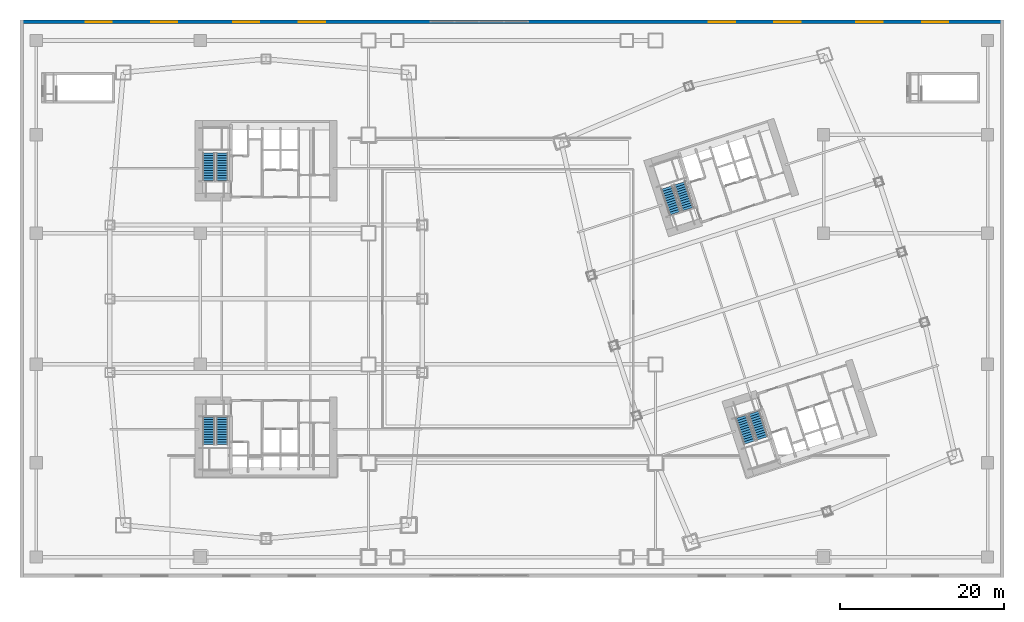
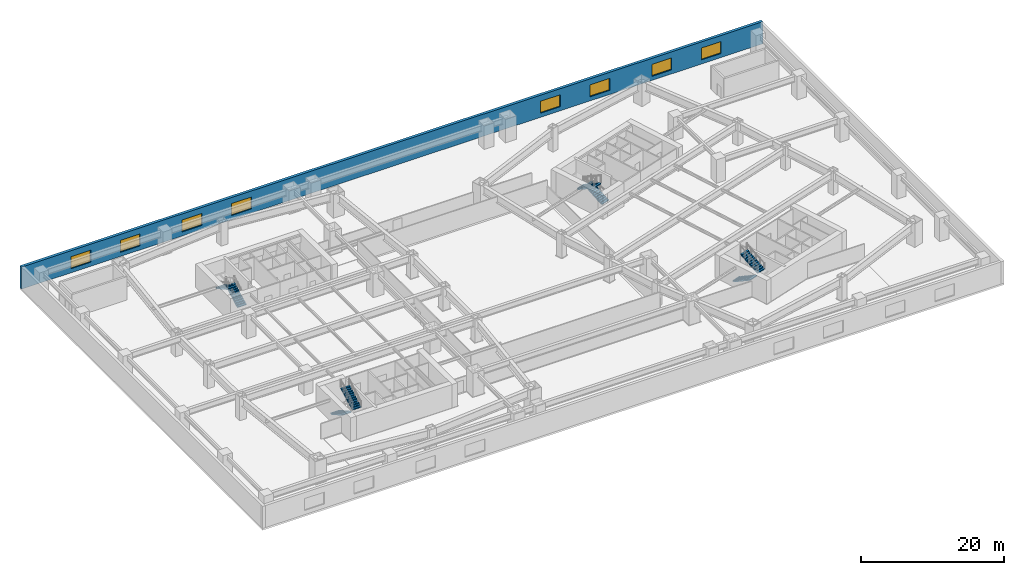
# One storey, part 19 of 25: 8 stair flights, 8 windows, 1 wall, 8 openings, 4 elements without a shape of their own.
"""IFC4 building model written with IfcOpenShell, lengths in metres."""

from ifc_helpers import new_model, si_unit, direction, frame, frame_2d, origin, place, context, subcontext, project, spatial, polyline, rectangle, outline, extrude, material, layer, layer_set, type_object, element, fill, aggregate, save


model = new_model("IFC4")

# Units and contexts
model_context = context("Model", 3, precision=1e-05, world=origin(), true_north=direction((0.0, 1.0)))
body_context = subcontext(model_context, "Body", "Model", "MODEL_VIEW")
ifc_project = project(units=[si_unit("LENGTHUNIT", "METRE"), si_unit("AREAUNIT", "SQUARE_METRE"), si_unit("VOLUMEUNIT", "CUBIC_METRE"), si_unit("PLANEANGLEUNIT", "RADIAN"), si_unit("MASSUNIT", "GRAM", prefix="KILO")], contexts=[model_context])

# Site, building, storey
site_placement = place(None, origin())
site = spatial("IfcSite", under=ifc_project, at=site_placement, CompositionType="ELEMENT")
building_placement = place(site_placement, origin())
building = spatial("IfcBuilding", under=site, at=building_placement, Name="Qiaolan Cultural Towers", CompositionType="ELEMENT")
storey_placement = place(building_placement, frame((0.0, 0.0, 22.0)))
storey = spatial("IfcBuildingStorey", under=building, at=storey_placement, Name="L04", CompositionType="ELEMENT", Elevation=22.0)

# Wall, openings, windows
ifc_material_1 = material(Name="Precast Concrete C50 Bush-Hammered Granite Pier", Category="masonry")
ifc_layer = layer(ifc_material_1, 0.449951171875)
ifc_layer_set = layer_set([ifc_layer], Name="Precast Concrete C50 Bush-Hammered Granite Pier")
wall_type = type_object("IfcWallType", Name="WL-EXT-POD-450", PredefinedType="SOLIDWALL", material=ifc_layer_set)
wall_placement = place(storey_placement, frame((0.0, 67.77490234375, 0.0), z_axis=(0.0, 0.0, 1.0), x_axis=(1.0, 0.0, 0.0)))
wall = element("IfcWall", 1, at=wall_placement, inside=storey, type_object=wall_type, Name="L04 Podium Precast Facade Wall NORTH", PredefinedType="SOLIDWALL", context=body_context, shape_type="SweptSolid", body=[
    extrude(rectangle(XDim=120.0, YDim=0.449951171875, at=frame_2d((60.0, 0.0))), origin(), (0.0, 0.0, 1.0), 3.780029296875),
])
opening_1_placement = place(wall_placement, frame((8.0, 0.0, 0.699951171875)))
opening_1 = element("IfcOpeningElement", 2, at=opening_1_placement, cuts=wall, Name="Opening W-04", PredefinedType="OPENING", context=body_context, shape_type="SweptSolid", body=[
    extrude(rectangle(XDim=3.199951171875, YDim=2.050048828125, at=frame_2d((1.60009765625, 1.02490234375))), frame((0.0, 0.23486328125, 0.0), z_axis=(0.0, -1.0, 0.0), x_axis=(1.0, 0.0, 0.0)), (0.0, 0.0, 1.0), 0.469970703125),
])
opening_2_placement = place(wall_placement, frame((16.0, 0.0, 0.699951171875)))
opening_2 = element("IfcOpeningElement", 3, at=opening_2_placement, cuts=wall, Name="Opening W-04", PredefinedType="OPENING", context=body_context, shape_type="SweptSolid", body=[
    extrude(rectangle(XDim=3.199951171875, YDim=2.050048828125, at=frame_2d((1.60009765625, 1.02490234375))), frame((0.0, 0.23486328125, 0.0), z_axis=(0.0, -1.0, 0.0), x_axis=(1.0, 0.0, 0.0)), (0.0, 0.0, 1.0), 0.469970703125),
])
opening_3_placement = place(wall_placement, frame((26.0, 0.0, 0.699951171875)))
opening_3 = element("IfcOpeningElement", 4, at=opening_3_placement, cuts=wall, Name="Opening W-04", PredefinedType="OPENING", context=body_context, shape_type="SweptSolid", body=[
    extrude(rectangle(XDim=3.199951171875, YDim=2.050048828125, at=frame_2d((1.60009765625, 1.02490234375))), frame((0.0, 0.23486328125, 0.0), z_axis=(0.0, -1.0, 0.0), x_axis=(1.0, 0.0, 0.0)), (0.0, 0.0, 1.0), 0.469970703125),
])
opening_4_placement = place(wall_placement, frame((34.0, 0.0, 0.699951171875)))
opening_4 = element("IfcOpeningElement", 5, at=opening_4_placement, cuts=wall, Name="Opening W-04", PredefinedType="OPENING", context=body_context, shape_type="SweptSolid", body=[
    extrude(rectangle(XDim=3.199951171875, YDim=2.050048828125, at=frame_2d((1.60009765625, 1.02490234375))), frame((0.0, 0.23486328125, 0.0), z_axis=(0.0, -1.0, 0.0), x_axis=(1.0, 0.0, 0.0)), (0.0, 0.0, 1.0), 0.469970703125),
])
opening_5_placement = place(wall_placement, frame((84.0, 0.0, 0.699951171875)))
opening_5 = element("IfcOpeningElement", 6, at=opening_5_placement, cuts=wall, Name="Opening W-04", PredefinedType="OPENING", context=body_context, shape_type="SweptSolid", body=[
    extrude(rectangle(XDim=3.199951171875, YDim=2.050048828125, at=frame_2d((1.60009765625, 1.02490234375))), frame((0.0, 0.23486328125, 0.0), z_axis=(0.0, -1.0, 0.0), x_axis=(1.0, 0.0, 0.0)), (0.0, 0.0, 1.0), 0.469970703125),
])
opening_6_placement = place(wall_placement, frame((92.0, 0.0, 0.699951171875)))
opening_6 = element("IfcOpeningElement", 7, at=opening_6_placement, cuts=wall, Name="Opening W-04", PredefinedType="OPENING", context=body_context, shape_type="SweptSolid", body=[
    extrude(rectangle(XDim=3.199951171875, YDim=2.050048828125, at=frame_2d((1.60009765625, 1.02490234375))), frame((0.0, 0.23486328125, 0.0), z_axis=(0.0, -1.0, 0.0), x_axis=(1.0, 0.0, 0.0)), (0.0, 0.0, 1.0), 0.469970703125),
])
opening_7_placement = place(wall_placement, frame((102.0, 0.0, 0.699951171875)))
opening_7 = element("IfcOpeningElement", 8, at=opening_7_placement, cuts=wall, Name="Opening W-04", PredefinedType="OPENING", context=body_context, shape_type="SweptSolid", body=[
    extrude(rectangle(XDim=3.199951171875, YDim=2.050048828125, at=frame_2d((1.60009765625, 1.02490234375))), frame((0.0, 0.23486328125, 0.0), z_axis=(0.0, -1.0, 0.0), x_axis=(1.0, 0.0, 0.0)), (0.0, 0.0, 1.0), 0.469970703125),
])
opening_8_placement = place(wall_placement, frame((110.0, 0.0, 0.699951171875)))
opening_8 = element("IfcOpeningElement", 9, at=opening_8_placement, cuts=wall, Name="Opening W-04", PredefinedType="OPENING", context=body_context, shape_type="SweptSolid", body=[
    extrude(rectangle(XDim=3.199951171875, YDim=2.050048828125, at=frame_2d((1.60009765625, 1.02490234375))), frame((0.0, 0.23486328125, 0.0), z_axis=(0.0, -1.0, 0.0), x_axis=(1.0, 0.0, 0.0)), (0.0, 0.0, 1.0), 0.469970703125),
])
ifc_material_2 = material(Name="Thermally Broken Aluminium Triple Low-E Glazing", Category="aluminium")
window_type = type_object("IfcWindowType", Name="WN-POD-3200", PartitioningType="SINGLE_PANEL", PredefinedType="WINDOW", material=ifc_material_2)
window_1_placement = place(opening_1_placement, origin())
window_1 = element("IfcWindow", 10, at=window_1_placement, inside=storey, type_object=window_type, Name="L04 Podium Chicago Window NORTH-01", OverallHeight=2.050048828125, OverallWidth=3.199951171875, PartitioningType="TRIPLE_PANEL_VERTICAL", PredefinedType="WINDOW", context=body_context, shape_type="SweptSolid", body=[
    extrude(rectangle(XDim=3.199951171875, YDim=2.050048828125, at=frame_2d((1.60009765625, 1.02490234375))), frame((0.0, 0.030029296875, 0.0), z_axis=(0.0, -1.0, 0.0), x_axis=(1.0, 0.0, 0.0)), (0.0, 0.0, 1.0), 0.06005859375),
])
fill(opening_1, window_1)
window_2_placement = place(opening_2_placement, origin())
window_2 = element("IfcWindow", 11, at=window_2_placement, inside=storey, type_object=window_type, Name="L04 Podium Chicago Window NORTH-02", OverallHeight=2.050048828125, OverallWidth=3.199951171875, PartitioningType="TRIPLE_PANEL_VERTICAL", PredefinedType="WINDOW", context=body_context, shape_type="SweptSolid", body=[
    extrude(rectangle(XDim=3.199951171875, YDim=2.050048828125, at=frame_2d((1.60009765625, 1.02490234375))), frame((0.0, 0.030029296875, 0.0), z_axis=(0.0, -1.0, 0.0), x_axis=(1.0, 0.0, 0.0)), (0.0, 0.0, 1.0), 0.06005859375),
])
fill(opening_2, window_2)
window_3_placement = place(opening_3_placement, origin())
window_3 = element("IfcWindow", 12, at=window_3_placement, inside=storey, type_object=window_type, Name="L04 Podium Chicago Window NORTH-03", OverallHeight=2.050048828125, OverallWidth=3.199951171875, PartitioningType="TRIPLE_PANEL_VERTICAL", PredefinedType="WINDOW", context=body_context, shape_type="SweptSolid", body=[
    extrude(rectangle(XDim=3.199951171875, YDim=2.050048828125, at=frame_2d((1.60009765625, 1.02490234375))), frame((0.0, 0.030029296875, 0.0), z_axis=(0.0, -1.0, 0.0), x_axis=(1.0, 0.0, 0.0)), (0.0, 0.0, 1.0), 0.06005859375),
])
fill(opening_3, window_3)
window_4_placement = place(opening_4_placement, origin())
window_4 = element("IfcWindow", 13, at=window_4_placement, inside=storey, type_object=window_type, Name="L04 Podium Chicago Window NORTH-04", OverallHeight=2.050048828125, OverallWidth=3.199951171875, PartitioningType="TRIPLE_PANEL_VERTICAL", PredefinedType="WINDOW", context=body_context, shape_type="SweptSolid", body=[
    extrude(rectangle(XDim=3.199951171875, YDim=2.050048828125, at=frame_2d((1.60009765625, 1.02490234375))), frame((0.0, 0.030029296875, 0.0), z_axis=(0.0, -1.0, 0.0), x_axis=(1.0, 0.0, 0.0)), (0.0, 0.0, 1.0), 0.06005859375),
])
fill(opening_4, window_4)
window_5_placement = place(opening_5_placement, origin())
window_5 = element("IfcWindow", 14, at=window_5_placement, inside=storey, type_object=window_type, Name="L04 Podium Chicago Window NORTH-05", OverallHeight=2.050048828125, OverallWidth=3.199951171875, PartitioningType="TRIPLE_PANEL_VERTICAL", PredefinedType="WINDOW", context=body_context, shape_type="SweptSolid", body=[
    extrude(rectangle(XDim=3.199951171875, YDim=2.050048828125, at=frame_2d((1.60009765625, 1.02490234375))), frame((0.0, 0.030029296875, 0.0), z_axis=(0.0, -1.0, 0.0), x_axis=(1.0, 0.0, 0.0)), (0.0, 0.0, 1.0), 0.06005859375),
])
fill(opening_5, window_5)
window_6_placement = place(opening_6_placement, origin())
window_6 = element("IfcWindow", 15, at=window_6_placement, inside=storey, type_object=window_type, Name="L04 Podium Chicago Window NORTH-06", OverallHeight=2.050048828125, OverallWidth=3.199951171875, PartitioningType="TRIPLE_PANEL_VERTICAL", PredefinedType="WINDOW", context=body_context, shape_type="SweptSolid", body=[
    extrude(rectangle(XDim=3.199951171875, YDim=2.050048828125, at=frame_2d((1.60009765625, 1.02490234375))), frame((0.0, 0.030029296875, 0.0), z_axis=(0.0, -1.0, 0.0), x_axis=(1.0, 0.0, 0.0)), (0.0, 0.0, 1.0), 0.06005859375),
])
fill(opening_6, window_6)
window_7_placement = place(opening_7_placement, origin())
window_7 = element("IfcWindow", 16, at=window_7_placement, inside=storey, type_object=window_type, Name="L04 Podium Chicago Window NORTH-07", OverallHeight=2.050048828125, OverallWidth=3.199951171875, PartitioningType="TRIPLE_PANEL_VERTICAL", PredefinedType="WINDOW", context=body_context, shape_type="SweptSolid", body=[
    extrude(rectangle(XDim=3.199951171875, YDim=2.050048828125, at=frame_2d((1.60009765625, 1.02490234375))), frame((0.0, 0.030029296875, 0.0), z_axis=(0.0, -1.0, 0.0), x_axis=(1.0, 0.0, 0.0)), (0.0, 0.0, 1.0), 0.06005859375),
])
fill(opening_7, window_7)
window_8_placement = place(opening_8_placement, origin())
window_8 = element("IfcWindow", 17, at=window_8_placement, inside=storey, type_object=window_type, Name="L04 Podium Chicago Window NORTH-08", OverallHeight=2.050048828125, OverallWidth=3.199951171875, PartitioningType="TRIPLE_PANEL_VERTICAL", PredefinedType="WINDOW", context=body_context, shape_type="SweptSolid", body=[
    extrude(rectangle(XDim=3.199951171875, YDim=2.050048828125, at=frame_2d((1.60009765625, 1.02490234375))), frame((0.0, 0.030029296875, 0.0), z_axis=(0.0, -1.0, 0.0), x_axis=(1.0, 0.0, 0.0)), (0.0, 0.0, 1.0), 0.06005859375),
])
fill(opening_8, window_8)

# Stair, stair flights
ifc_material_3 = material(Name="Concrete C45", Category="concrete")
stair_type = type_object("IfcStairType", Name="STR-CORE-1500", PredefinedType="HALF_TURN_STAIR", material=ifc_material_3)
stair_1_placement = place(storey_placement, origin())
stair_1 = element("IfcStair", 18, at=stair_1_placement, inside=storey, type_object=stair_type, Name="L04 Smokeproof Exit Stair ST-W1", PredefinedType="HALF_TURN_STAIR")
ifc_material_4 = material(Name="Concrete C45", Category="concrete")
stair_flight_type = type_object("IfcStairFlightType", Name="STR-CORE-1500-FL", PredefinedType="STRAIGHT", material=ifc_material_4)
stair_flight_1_placement = place(storey_placement, frame((23.02001953125, 19.550048828125, 0.0), z_axis=(0.0, 0.0, 1.0), x_axis=(0.0, -1.0, 0.0)))
stair_flight_1 = element("IfcStairFlight", 19, at=stair_flight_1_placement, type_object=stair_flight_type, Name="ST-W1 flight 1", NumberOfRisers=12, NumberOfTreads=11, PredefinedType="STRAIGHT", RiserHeight=0.166666667, TreadLength=0.3, context=body_context, shape_type="SweptSolid", body=[
    extrude(outline(polyline([(0.0, 0.0), (0.0, 0.166748046875), (0.300048828125, 0.166748046875), (0.300048828125, 0.333251953125), (0.60009765625, 0.333251953125), (0.60009765625, 0.5), (0.89990234375, 0.5), (0.89990234375, 0.666748046875), (1.199951171875, 0.666748046875), (1.199951171875, 0.833251953125), (1.5, 0.833251953125), (1.5, 1.0), (1.800048828125, 1.0), (1.800048828125, 1.166748046875), (2.10009765625, 1.166748046875), (2.10009765625, 1.333251953125), (2.39990234375, 1.333251953125), (2.39990234375, 1.5), (2.699951171875, 1.5), (2.699951171875, 1.666748046875), (3.0, 1.666748046875), (3.0, 1.833251953125), (3.300048828125, 1.833251953125), (3.300048828125, 2.0), (3.300048828125, 1.661865234375), (0.30859375, 0.0), (0.0, 0.0)])), frame((0.0, 0.719970703125, 0.0), z_axis=(0.0, -1.0, 0.0), x_axis=(1.0, 0.0, 0.0)), (0.0, 0.0, 1.0), 1.43994140625),
])
stair_flight_2_placement = place(storey_placement, frame((24.659912109375, 16.25, 2.0), z_axis=(0.0, 0.0, 1.0), x_axis=(0.0, 1.0, 0.0)))
stair_flight_2 = element("IfcStairFlight", 20, at=stair_flight_2_placement, type_object=stair_flight_type, Name="ST-W1 flight 2", NumberOfRisers=12, NumberOfTreads=11, PredefinedType="STRAIGHT", RiserHeight=0.166666667, TreadLength=0.3, context=body_context, shape_type="SweptSolid", body=[
    extrude(outline(polyline([(0.0, 0.0), (0.0, 0.166748046875), (0.300048828125, 0.166748046875), (0.300048828125, 0.333251953125), (0.60009765625, 0.333251953125), (0.60009765625, 0.5), (0.89990234375, 0.5), (0.89990234375, 0.666748046875), (1.199951171875, 0.666748046875), (1.199951171875, 0.833251953125), (1.5, 0.833251953125), (1.5, 1.0), (1.800048828125, 1.0), (1.800048828125, 1.166748046875), (2.10009765625, 1.166748046875), (2.10009765625, 1.333251953125), (2.39990234375, 1.333251953125), (2.39990234375, 1.5), (2.699951171875, 1.5), (2.699951171875, 1.666748046875), (3.0, 1.666748046875), (3.0, 1.833251953125), (3.300048828125, 1.833251953125), (3.300048828125, 2.0), (3.300048828125, 1.661865234375), (0.30859375, 0.0), (0.0, 0.0)])), frame((0.0, 0.719970703125, 0.0), z_axis=(0.0, -1.0, 0.0), x_axis=(1.0, 0.0, 0.0)), (0.0, 0.0, 1.0), 1.43994140625),
])
aggregate(stair_1, [stair_flight_1, stair_flight_2])

stair_2_placement = place(storey_placement, origin())
stair_2 = element("IfcStair", 21, at=stair_2_placement, inside=storey, type_object=stair_type, Name="L04 Smokeproof Exit Stair ST-W2", PredefinedType="HALF_TURN_STAIR")
stair_flight_3_placement = place(storey_placement, frame((24.659912109375, 48.449951171875, 0.0), z_axis=(0.0, 0.0, 1.0), x_axis=(0.0, 1.0, 0.0)))
stair_flight_3 = element("IfcStairFlight", 22, at=stair_flight_3_placement, type_object=stair_flight_type, Name="ST-W2 flight 1", NumberOfRisers=12, NumberOfTreads=11, PredefinedType="STRAIGHT", RiserHeight=0.166666667, TreadLength=0.3, context=body_context, shape_type="SweptSolid", body=[
    extrude(outline(polyline([(0.0, 0.0), (0.0, 0.166748046875), (0.300048828125, 0.166748046875), (0.300048828125, 0.333251953125), (0.60009765625, 0.333251953125), (0.60009765625, 0.5), (0.89990234375, 0.5), (0.89990234375, 0.666748046875), (1.199951171875, 0.666748046875), (1.199951171875, 0.833251953125), (1.5, 0.833251953125), (1.5, 1.0), (1.800048828125, 1.0), (1.800048828125, 1.166748046875), (2.10009765625, 1.166748046875), (2.10009765625, 1.333251953125), (2.39990234375, 1.333251953125), (2.39990234375, 1.5), (2.699951171875, 1.5), (2.699951171875, 1.666748046875), (3.0, 1.666748046875), (3.0, 1.833251953125), (3.300048828125, 1.833251953125), (3.300048828125, 2.0), (3.300048828125, 1.661865234375), (0.30859375, 0.0), (0.0, 0.0)])), frame((0.0, 0.719970703125, 0.0), z_axis=(0.0, -1.0, 0.0), x_axis=(1.0, 0.0, 0.0)), (0.0, 0.0, 1.0), 1.43994140625),
])
stair_flight_4_placement = place(storey_placement, frame((23.02001953125, 51.75, 2.0), z_axis=(0.0, 0.0, 1.0), x_axis=(0.0, -1.0, 0.0)))
stair_flight_4 = element("IfcStairFlight", 23, at=stair_flight_4_placement, type_object=stair_flight_type, Name="ST-W2 flight 2", NumberOfRisers=12, NumberOfTreads=11, PredefinedType="STRAIGHT", RiserHeight=0.166666667, TreadLength=0.3, context=body_context, shape_type="SweptSolid", body=[
    extrude(outline(polyline([(0.0, 0.0), (0.0, 0.166748046875), (0.300048828125, 0.166748046875), (0.300048828125, 0.333251953125), (0.60009765625, 0.333251953125), (0.60009765625, 0.5), (0.89990234375, 0.5), (0.89990234375, 0.666748046875), (1.199951171875, 0.666748046875), (1.199951171875, 0.833251953125), (1.5, 0.833251953125), (1.5, 1.0), (1.800048828125, 1.0), (1.800048828125, 1.166748046875), (2.10009765625, 1.166748046875), (2.10009765625, 1.333251953125), (2.39990234375, 1.333251953125), (2.39990234375, 1.5), (2.699951171875, 1.5), (2.699951171875, 1.666748046875), (3.0, 1.666748046875), (3.0, 1.833251953125), (3.300048828125, 1.833251953125), (3.300048828125, 2.0), (3.300048828125, 1.661865234375), (0.30859375, 0.0), (0.0, 0.0)])), frame((0.0, 0.719970703125, 0.0), z_axis=(0.0, -1.0, 0.0), x_axis=(1.0, 0.0, 0.0)), (0.0, 0.0, 1.0), 1.43994140625),
])
aggregate(stair_2, [stair_flight_3, stair_flight_4])

stair_3_placement = place(storey_placement, origin())
stair_3 = element("IfcStair", 24, at=stair_3_placement, inside=storey, type_object=stair_type, Name="L04 Smokeproof Exit Stair ST-E1", PredefinedType="HALF_TURN_STAIR")
stair_flight_5_placement = place(storey_placement, frame((87.96484375, 19.6171875, 0.0), z_axis=(0.0, 0.0, 1.0), x_axis=(0.309016994375, -0.951056516295, 0.0)))
stair_flight_5 = element("IfcStairFlight", 25, at=stair_flight_5_placement, type_object=stair_flight_type, Name="ST-E1 flight 1", NumberOfRisers=12, NumberOfTreads=11, PredefinedType="STRAIGHT", RiserHeight=0.166666667, TreadLength=0.3, context=body_context, shape_type="SweptSolid", body=[
    extrude(outline(polyline([(0.0, 0.0), (0.0, 0.166748046875), (0.300048828125, 0.166748046875), (0.300048828125, 0.333251953125), (0.60009765625, 0.333251953125), (0.60009765625, 0.5), (0.89990234375, 0.5), (0.89990234375, 0.666748046875), (1.199951171875, 0.666748046875), (1.199951171875, 0.833251953125), (1.5, 0.833251953125), (1.5, 1.0), (1.800048828125, 1.0), (1.800048828125, 1.166748046875), (2.10009765625, 1.166748046875), (2.10009765625, 1.333251953125), (2.39990234375, 1.333251953125), (2.39990234375, 1.5), (2.699951171875, 1.5), (2.699951171875, 1.666748046875), (3.0, 1.666748046875), (3.0, 1.833251953125), (3.300048828125, 1.833251953125), (3.300048828125, 2.0), (3.300048828125, 1.661865234375), (0.30859375, 0.0), (0.0, 0.0)])), frame((0.0, 0.719970703125, 0.0), z_axis=(0.0, -1.0, 0.0), x_axis=(1.0, 0.0, 0.0)), (0.0, 0.0, 1.0), 1.43994140625),
])
stair_flight_6_placement = place(storey_placement, frame((90.54443359375, 16.985595703125, 2.0), z_axis=(0.0, 0.0, 1.0), x_axis=(-0.309016994375, 0.951056516295, 0.0)))
stair_flight_6 = element("IfcStairFlight", 26, at=stair_flight_6_placement, type_object=stair_flight_type, Name="ST-E1 flight 2", NumberOfRisers=12, NumberOfTreads=11, PredefinedType="STRAIGHT", RiserHeight=0.166666667, TreadLength=0.3, context=body_context, shape_type="SweptSolid", body=[
    extrude(outline(polyline([(0.0, 0.0), (0.0, 0.166748046875), (0.300048828125, 0.166748046875), (0.300048828125, 0.333251953125), (0.60009765625, 0.333251953125), (0.60009765625, 0.5), (0.89990234375, 0.5), (0.89990234375, 0.666748046875), (1.199951171875, 0.666748046875), (1.199951171875, 0.833251953125), (1.5, 0.833251953125), (1.5, 1.0), (1.800048828125, 1.0), (1.800048828125, 1.166748046875), (2.10009765625, 1.166748046875), (2.10009765625, 1.333251953125), (2.39990234375, 1.333251953125), (2.39990234375, 1.5), (2.699951171875, 1.5), (2.699951171875, 1.666748046875), (3.0, 1.666748046875), (3.0, 1.833251953125), (3.300048828125, 1.833251953125), (3.300048828125, 2.0), (3.300048828125, 1.661865234375), (0.30859375, 0.0), (0.0, 0.0)])), frame((0.0, 0.719970703125, 0.0), z_axis=(0.0, -1.0, 0.0), x_axis=(1.0, 0.0, 0.0)), (0.0, 0.0, 1.0), 1.43994140625),
])
aggregate(stair_3, [stair_flight_5, stair_flight_6])

stair_4_placement = place(storey_placement, origin())
stair_4 = element("IfcStair", 27, at=stair_4_placement, inside=storey, type_object=stair_type, Name="L04 Smokeproof Exit Stair ST-E2", PredefinedType="HALF_TURN_STAIR")
stair_flight_7_placement = place(storey_placement, frame((81.459228515625, 44.946533203125, 0.0), z_axis=(0.0, 0.0, 1.0), x_axis=(-0.309016994375, 0.951056516295, 0.0)))
stair_flight_7 = element("IfcStairFlight", 28, at=stair_flight_7_placement, type_object=stair_flight_type, Name="ST-E2 flight 1", NumberOfRisers=12, NumberOfTreads=11, PredefinedType="STRAIGHT", RiserHeight=0.166666667, TreadLength=0.3, context=body_context, shape_type="SweptSolid", body=[
    extrude(outline(polyline([(0.0, 0.0), (0.0, 0.166748046875), (0.300048828125, 0.166748046875), (0.300048828125, 0.333251953125), (0.60009765625, 0.333251953125), (0.60009765625, 0.5), (0.89990234375, 0.5), (0.89990234375, 0.666748046875), (1.199951171875, 0.666748046875), (1.199951171875, 0.833251953125), (1.5, 0.833251953125), (1.5, 1.0), (1.800048828125, 1.0), (1.800048828125, 1.166748046875), (2.10009765625, 1.166748046875), (2.10009765625, 1.333251953125), (2.39990234375, 1.333251953125), (2.39990234375, 1.5), (2.699951171875, 1.5), (2.699951171875, 1.666748046875), (3.0, 1.666748046875), (3.0, 1.833251953125), (3.300048828125, 1.833251953125), (3.300048828125, 2.0), (3.300048828125, 1.661865234375), (0.30859375, 0.0), (0.0, 0.0)])), frame((0.0, 0.719970703125, 0.0), z_axis=(0.0, -1.0, 0.0), x_axis=(1.0, 0.0, 0.0)), (0.0, 0.0, 1.0), 1.43994140625),
])
stair_flight_8_placement = place(storey_placement, frame((78.8798828125, 47.578125, 2.0), z_axis=(0.0, 0.0, 1.0), x_axis=(0.309016994375, -0.951056516295, 0.0)))
stair_flight_8 = element("IfcStairFlight", 29, at=stair_flight_8_placement, type_object=stair_flight_type, Name="ST-E2 flight 2", NumberOfRisers=12, NumberOfTreads=11, PredefinedType="STRAIGHT", RiserHeight=0.166666667, TreadLength=0.3, context=body_context, shape_type="SweptSolid", body=[
    extrude(outline(polyline([(0.0, 0.0), (0.0, 0.166748046875), (0.300048828125, 0.166748046875), (0.300048828125, 0.333251953125), (0.60009765625, 0.333251953125), (0.60009765625, 0.5), (0.89990234375, 0.5), (0.89990234375, 0.666748046875), (1.199951171875, 0.666748046875), (1.199951171875, 0.833251953125), (1.5, 0.833251953125), (1.5, 1.0), (1.800048828125, 1.0), (1.800048828125, 1.166748046875), (2.10009765625, 1.166748046875), (2.10009765625, 1.333251953125), (2.39990234375, 1.333251953125), (2.39990234375, 1.5), (2.699951171875, 1.5), (2.699951171875, 1.666748046875), (3.0, 1.666748046875), (3.0, 1.833251953125), (3.300048828125, 1.833251953125), (3.300048828125, 2.0), (3.300048828125, 1.661865234375), (0.30859375, 0.0), (0.0, 0.0)])), frame((0.0, 0.719970703125, 0.0), z_axis=(0.0, -1.0, 0.0), x_axis=(1.0, 0.0, 0.0)), (0.0, 0.0, 1.0), 1.43994140625),
])
aggregate(stair_4, [stair_flight_7, stair_flight_8])

save(model, "model.ifc")
